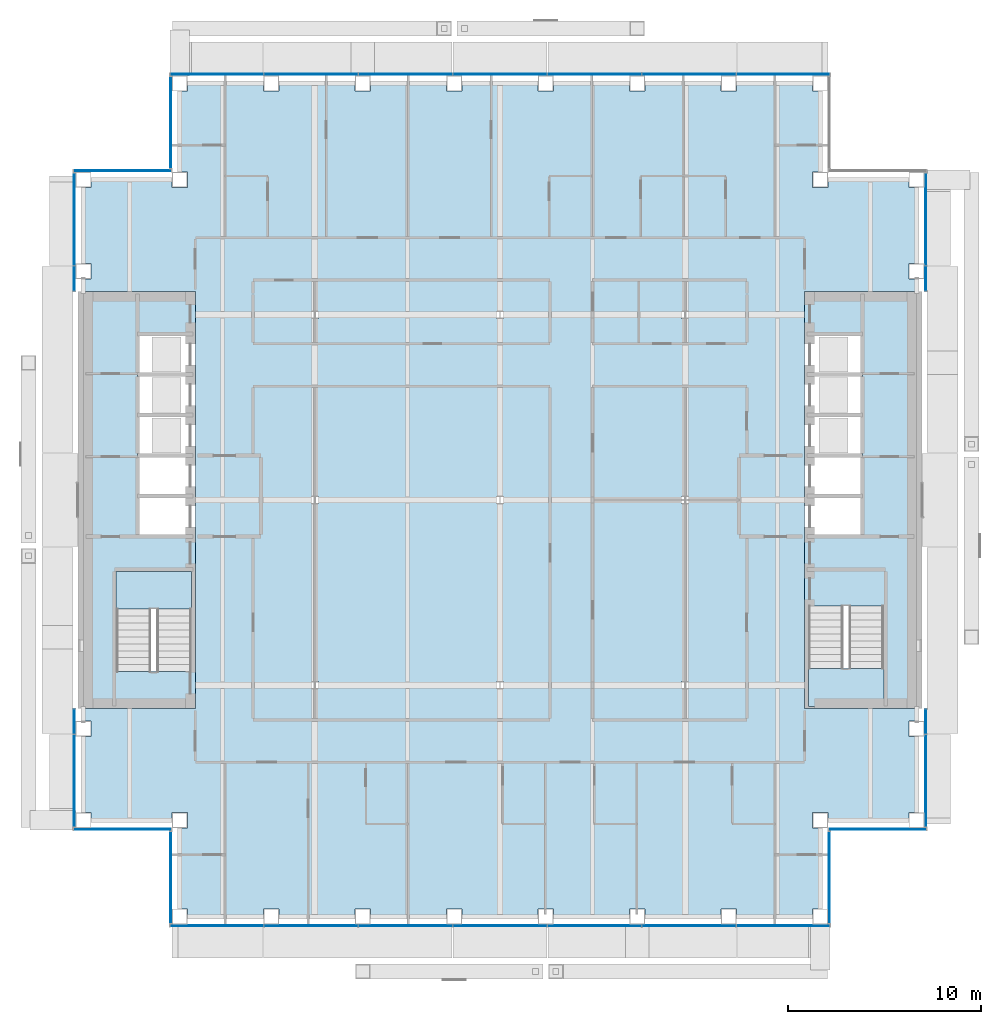
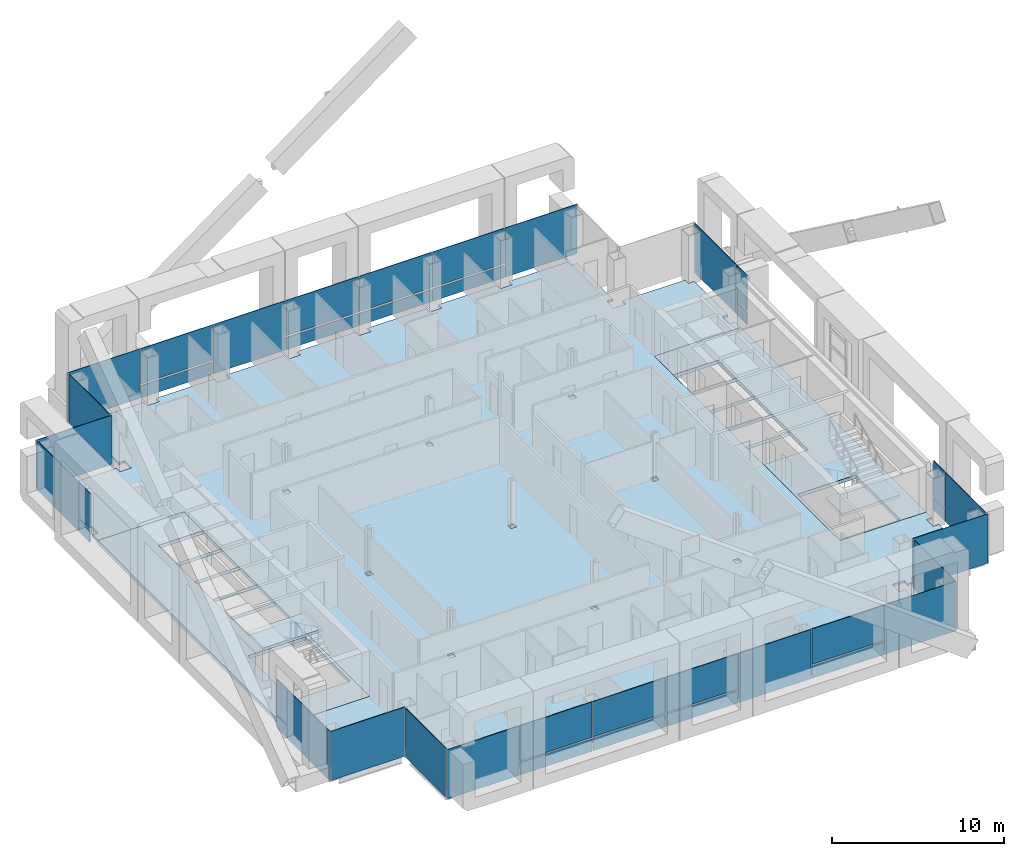
# One storey, part 11 of 22: 40 plates, 5 slabs, 14 elements without a shape of their own.
"""IFC4 building model written with IfcOpenShell, lengths in metres."""

from ifc_helpers import new_model, si_unit, direction, frame, origin, origin_2d, place, context, subcontext, project, spatial, polyline, rectangle, outline, extrude, material, layer, layer_set, type_object, element, aggregate, save


model = new_model("IFC4")

# Units and contexts
model_context = context("Model", 3, precision=1e-05, world=origin(), true_north=direction((0.0, 1.0)))
body_context = subcontext(model_context, "Body", "Model", "MODEL_VIEW")
ifc_project = project(units=[si_unit("LENGTHUNIT", "METRE"), si_unit("AREAUNIT", "SQUARE_METRE"), si_unit("VOLUMEUNIT", "CUBIC_METRE"), si_unit("PLANEANGLEUNIT", "RADIAN"), si_unit("MASSUNIT", "GRAM", prefix="KILO")], contexts=[model_context])

# Site, building, storey
site_placement = place(None, origin())
site = spatial("IfcSite", under=ifc_project, at=site_placement, CompositionType="ELEMENT")
building_placement = place(site_placement, origin())
building = spatial("IfcBuilding", under=site, at=building_placement, Name="Cobrizo Arcos Hotel Tower", CompositionType="ELEMENT")
storey_placement = place(building_placement, frame((0.0, 0.0, 162.0)))
storey = spatial("IfcBuildingStorey", under=building, at=storey_placement, Name="L41", CompositionType="ELEMENT", Elevation=162.0)

# Curtain wall, plates
ifc_material_1 = material(Name="Aluminium 6063-T6 anodised bronze", Category="aluminium")
curtain_wall_type = type_object("IfcCurtainWallType", Name="CW-A guest facade", PredefinedType="NOTDEFINED", material=ifc_material_1)
curtain_wall_1_placement = place(storey_placement, origin())
curtain_wall_1 = element("IfcCurtainWall", 1, at=curtain_wall_1_placement, inside=storey, type_object=curtain_wall_type, Name="CW-A L41 S face", PredefinedType="NOTDEFINED")
ifc_material_2 = material(Name="Glass clear laminated low-e", Category="glass")
ifc_layer_1 = layer(ifc_material_2, 0.0400390625)
ifc_layer_set_1 = layer_set([ifc_layer_1], Name="CW-A glass panel")
plate_type_1 = type_object("IfcPlateType", Name="CW-A glass panel", PredefinedType="CURTAIN_PANEL", material=ifc_layer_set_1)
plate_1_placement = place(storey_placement, frame((-9.800048828125, -22.074951171875, 0.990234375), z_axis=(0.0, 0.0, 1.0), x_axis=(1.0, 0.0, 0.0)))
plate_1 = element("IfcPlate", 2, at=plate_1_placement, type_object=plate_type_1, Name="CW-A glass panel 1457", PredefinedType="CURTAIN_PANEL", context=body_context, shape_type="SweptSolid", body=[
    extrude(rectangle(XDim=4.840087890625, YDim=0.0400390625, at=origin_2d()), origin(), (0.0, 0.0, 1.0), 2.510009765625),
])
plate_2_placement = place(storey_placement, frame((-4.89990234375, -22.074951171875, 0.990234375), z_axis=(0.0, 0.0, 1.0), x_axis=(1.0, 0.0, 0.0)))
plate_2 = element("IfcPlate", 3, at=plate_2_placement, type_object=plate_type_1, Name="CW-A glass panel 1458", PredefinedType="CURTAIN_PANEL", context=body_context, shape_type="SweptSolid", body=[
    extrude(rectangle(XDim=4.840087890625, YDim=0.0400390625, at=origin_2d()), origin(), (0.0, 0.0, 1.0), 2.510009765625),
])
plate_3_placement = place(storey_placement, frame((0.0, -22.074951171875, 0.990234375), z_axis=(0.0, 0.0, 1.0), x_axis=(1.0, 0.0, 0.0)))
plate_3 = element("IfcPlate", 4, at=plate_3_placement, type_object=plate_type_1, Name="CW-A glass panel 1459", PredefinedType="CURTAIN_PANEL", context=body_context, shape_type="SweptSolid", body=[
    extrude(rectangle(XDim=4.840087890625, YDim=0.0400390625, at=origin_2d()), origin(), (0.0, 0.0, 1.0), 2.510009765625),
])
plate_4_placement = place(storey_placement, frame((9.800048828125, -22.074951171875, 0.990234375), z_axis=(0.0, 0.0, 1.0), x_axis=(1.0, 0.0, 0.0)))
plate_4 = element("IfcPlate", 5, at=plate_4_placement, type_object=plate_type_1, Name="CW-A glass panel 1461", PredefinedType="CURTAIN_PANEL", context=body_context, shape_type="SweptSolid", body=[
    extrude(rectangle(XDim=4.840087890625, YDim=0.0400390625, at=origin_2d()), origin(), (0.0, 0.0, 1.0), 2.510009765625),
])

# Curtain wall, plate
curtain_wall_2_placement = place(storey_placement, origin())
curtain_wall_2 = element("IfcCurtainWall", 6, at=curtain_wall_2_placement, inside=storey, type_object=curtain_wall_type, Name="CW-A L41 E face", PredefinedType="NOTDEFINED")
plate_5_placement = place(storey_placement, frame((22.074951171875, -11.486328125, 0.990234375), z_axis=(0.0, 0.0, 1.0), x_axis=(0.0, 1.0, 0.0)))
plate_5 = element("IfcPlate", 7, at=plate_5_placement, type_object=plate_type_1, Name="CW-A glass panel 1466", PredefinedType="CURTAIN_PANEL", context=body_context, shape_type="SweptSolid", body=[
    extrude(rectangle(XDim=1.2529296875, YDim=0.0400390625, at=origin_2d()), origin(), (0.0, 0.0, 1.0), 2.510009765625),
])

curtain_wall_3_placement = place(storey_placement, origin())
curtain_wall_3 = element("IfcCurtainWall", 8, at=curtain_wall_3_placement, inside=storey, type_object=curtain_wall_type, Name="CW-A L41 E face", PredefinedType="NOTDEFINED")
plate_6_placement = place(storey_placement, frame((22.074951171875, 11.486328125, 0.990234375), z_axis=(0.0, 0.0, 1.0), x_axis=(0.0, 1.0, 0.0)))
plate_6 = element("IfcPlate", 9, at=plate_6_placement, type_object=plate_type_1, Name="CW-A glass panel 1467", PredefinedType="CURTAIN_PANEL", context=body_context, shape_type="SweptSolid", body=[
    extrude(rectangle(XDim=1.2529296875, YDim=0.0400390625, at=origin_2d()), origin(), (0.0, 0.0, 1.0), 2.510009765625),
])

# Curtain wall, plates
curtain_wall_4_placement = place(storey_placement, origin())
curtain_wall_4 = element("IfcCurtainWall", 10, at=curtain_wall_4_placement, inside=storey, type_object=curtain_wall_type, Name="CW-A L41 N face", PredefinedType="NOTDEFINED")
plate_7_placement = place(storey_placement, frame((9.800048828125, 22.074951171875, 0.990234375), z_axis=(0.0, 0.0, 1.0), x_axis=(-1.0, 0.0, 0.0)))
plate_7 = element("IfcPlate", 11, at=plate_7_placement, type_object=plate_type_1, Name="CW-A glass panel 1472", PredefinedType="CURTAIN_PANEL", context=body_context, shape_type="SweptSolid", body=[
    extrude(rectangle(XDim=4.840087890625, YDim=0.0400390625, at=origin_2d()), origin(), (0.0, 0.0, 1.0), 2.510009765625),
])
plate_8_placement = place(storey_placement, frame((4.89990234375, 22.074951171875, 0.990234375), z_axis=(0.0, 0.0, 1.0), x_axis=(-1.0, 0.0, 0.0)))
plate_8 = element("IfcPlate", 12, at=plate_8_placement, type_object=plate_type_1, Name="CW-A glass panel 1473", PredefinedType="CURTAIN_PANEL", context=body_context, shape_type="SweptSolid", body=[
    extrude(rectangle(XDim=4.840087890625, YDim=0.0400390625, at=origin_2d()), origin(), (0.0, 0.0, 1.0), 2.510009765625),
])
plate_9_placement = place(storey_placement, frame((0.0, 22.074951171875, 0.990234375), z_axis=(0.0, 0.0, 1.0), x_axis=(-1.0, 0.0, 0.0)))
plate_9 = element("IfcPlate", 13, at=plate_9_placement, type_object=plate_type_1, Name="CW-A glass panel 1474", PredefinedType="CURTAIN_PANEL", context=body_context, shape_type="SweptSolid", body=[
    extrude(rectangle(XDim=4.840087890625, YDim=0.0400390625, at=origin_2d()), origin(), (0.0, 0.0, 1.0), 2.510009765625),
])
plate_10_placement = place(storey_placement, frame((-9.800048828125, 22.074951171875, 0.990234375), z_axis=(0.0, 0.0, 1.0), x_axis=(-1.0, 0.0, 0.0)))
plate_10 = element("IfcPlate", 14, at=plate_10_placement, type_object=plate_type_1, Name="CW-A glass panel 1476", PredefinedType="CURTAIN_PANEL", context=body_context, shape_type="SweptSolid", body=[
    extrude(rectangle(XDim=4.840087890625, YDim=0.0400390625, at=origin_2d()), origin(), (0.0, 0.0, 1.0), 2.510009765625),
])

# Curtain wall, plate
curtain_wall_5_placement = place(storey_placement, origin())
curtain_wall_5 = element("IfcCurtainWall", 15, at=curtain_wall_5_placement, inside=storey, type_object=curtain_wall_type, Name="CW-A L41 W face", PredefinedType="NOTDEFINED")
plate_11_placement = place(storey_placement, frame((-22.074951171875, 11.486328125, 0.990234375), z_axis=(0.0, 0.0, 1.0), x_axis=(0.0, -1.0, 0.0)))
plate_11 = element("IfcPlate", 16, at=plate_11_placement, type_object=plate_type_1, Name="CW-A glass panel 1481", PredefinedType="CURTAIN_PANEL", context=body_context, shape_type="SweptSolid", body=[
    extrude(rectangle(XDim=1.2529296875, YDim=0.0400390625, at=origin_2d()), origin(), (0.0, 0.0, 1.0), 2.510009765625),
])

curtain_wall_6_placement = place(storey_placement, origin())
curtain_wall_6 = element("IfcCurtainWall", 17, at=curtain_wall_6_placement, inside=storey, type_object=curtain_wall_type, Name="CW-A L41 W face", PredefinedType="NOTDEFINED")
plate_12_placement = place(storey_placement, frame((-22.074951171875, -11.486328125, 0.990234375), z_axis=(0.0, 0.0, 1.0), x_axis=(0.0, -1.0, 0.0)))
plate_12 = element("IfcPlate", 18, at=plate_12_placement, type_object=plate_type_1, Name="CW-A glass panel 1482", PredefinedType="CURTAIN_PANEL", context=body_context, shape_type="SweptSolid", body=[
    extrude(rectangle(XDim=1.2529296875, YDim=0.0400390625, at=origin_2d()), origin(), (0.0, 0.0, 1.0), 2.510009765625),
])

# Plate
ifc_material_3 = material(Name="Aluminium composite panel pale metal", Category="aluminium")
ifc_layer_2 = layer(ifc_material_3, 0.0400390625)
ifc_layer_set_2 = layer_set([ifc_layer_2], Name="CW-A spandrel panel")
plate_type_2 = type_object("IfcPlateType", Name="CW-A spandrel panel", PredefinedType="CURTAIN_PANEL", material=ifc_layer_set_2)
plate_13_placement = place(storey_placement, frame((-14.68505859375, -22.074951171875, 0.0), z_axis=(0.0, 0.0, 1.0), x_axis=(1.0, 0.0, 0.0)))
plate_13 = element("IfcPlate", 19, at=plate_13_placement, type_object=plate_type_2, Name="CW-A spandrel panel 1456", PredefinedType="CURTAIN_PANEL", context=body_context, shape_type="SweptSolid", body=[
    extrude(rectangle(XDim=4.81005859375, YDim=0.0400390625, at=origin_2d()), origin(), (0.0, 0.0, 1.0), 3.5),
])

plate_14_placement = place(storey_placement, frame((-9.800048828125, -22.074951171875, 0.0), z_axis=(0.0, 0.0, 1.0), x_axis=(1.0, 0.0, 0.0)))
plate_14 = element("IfcPlate", 20, at=plate_14_placement, type_object=plate_type_2, Name="CW-A spandrel panel 1457", PredefinedType="CURTAIN_PANEL", context=body_context, shape_type="SweptSolid", body=[
    extrude(rectangle(XDim=4.840087890625, YDim=0.0400390625, at=origin_2d()), origin(), (0.0, 0.0, 1.0), 0.8701171875),
])

plate_15_placement = place(storey_placement, frame((-4.89990234375, -22.074951171875, 0.0), z_axis=(0.0, 0.0, 1.0), x_axis=(1.0, 0.0, 0.0)))
plate_15 = element("IfcPlate", 21, at=plate_15_placement, type_object=plate_type_2, Name="CW-A spandrel panel 1458", PredefinedType="CURTAIN_PANEL", context=body_context, shape_type="SweptSolid", body=[
    extrude(rectangle(XDim=4.840087890625, YDim=0.0400390625, at=origin_2d()), origin(), (0.0, 0.0, 1.0), 0.8701171875),
])

plate_16_placement = place(storey_placement, frame((0.0, -22.074951171875, 0.0), z_axis=(0.0, 0.0, 1.0), x_axis=(1.0, 0.0, 0.0)))
plate_16 = element("IfcPlate", 22, at=plate_16_placement, type_object=plate_type_2, Name="CW-A spandrel panel 1459", PredefinedType="CURTAIN_PANEL", context=body_context, shape_type="SweptSolid", body=[
    extrude(rectangle(XDim=4.840087890625, YDim=0.0400390625, at=origin_2d()), origin(), (0.0, 0.0, 1.0), 0.8701171875),
])

plate_17_placement = place(storey_placement, frame((4.89990234375, -22.074951171875, 0.0), z_axis=(0.0, 0.0, 1.0), x_axis=(1.0, 0.0, 0.0)))
plate_17 = element("IfcPlate", 23, at=plate_17_placement, type_object=plate_type_2, Name="CW-A spandrel panel 1460", PredefinedType="CURTAIN_PANEL", context=body_context, shape_type="SweptSolid", body=[
    extrude(rectangle(XDim=4.840087890625, YDim=0.0400390625, at=origin_2d()), origin(), (0.0, 0.0, 1.0), 3.5),
])

plate_18_placement = place(storey_placement, frame((9.800048828125, -22.074951171875, 0.0), z_axis=(0.0, 0.0, 1.0), x_axis=(1.0, 0.0, 0.0)))
plate_18 = element("IfcPlate", 24, at=plate_18_placement, type_object=plate_type_2, Name="CW-A spandrel panel 1461", PredefinedType="CURTAIN_PANEL", context=body_context, shape_type="SweptSolid", body=[
    extrude(rectangle(XDim=4.840087890625, YDim=0.0400390625, at=origin_2d()), origin(), (0.0, 0.0, 1.0), 0.8701171875),
])

plate_19_placement = place(storey_placement, frame((14.68505859375, -22.074951171875, 0.0), z_axis=(0.0, 0.0, 1.0), x_axis=(1.0, 0.0, 0.0)))
plate_19 = element("IfcPlate", 25, at=plate_19_placement, type_object=plate_type_2, Name="CW-A spandrel panel 1462", PredefinedType="CURTAIN_PANEL", context=body_context, shape_type="SweptSolid", body=[
    extrude(rectangle(XDim=4.81005859375, YDim=0.0400390625, at=origin_2d()), origin(), (0.0, 0.0, 1.0), 3.5),
])

aggregate(curtain_wall_1, [plate_13, plate_14, plate_1, plate_15, plate_2, plate_16, plate_3, plate_17, plate_18, plate_4, plate_19])

# Curtain wall, plate
curtain_wall_7_placement = place(storey_placement, origin())
curtain_wall_7 = element("IfcCurtainWall", 26, at=curtain_wall_7_placement, inside=storey, type_object=curtain_wall_type, Name="CW-A L41 E face", PredefinedType="NOTDEFINED")
plate_20_placement = place(storey_placement, frame((17.074951171875, -19.574951171875, 0.0), z_axis=(0.0, 0.0, 1.0), x_axis=(0.0, 1.0, 0.0)))
plate_20 = element("IfcPlate", 27, at=plate_20_placement, type_object=plate_type_2, Name="CW-A spandrel panel 1463", PredefinedType="CURTAIN_PANEL", context=body_context, shape_type="SweptSolid", body=[
    extrude(rectangle(XDim=4.72998046875, YDim=0.0400390625, at=origin_2d()), origin(), (0.0, 0.0, 1.0), 3.5),
])
aggregate(curtain_wall_7, [plate_20])

curtain_wall_8_placement = place(storey_placement, origin())
curtain_wall_8 = element("IfcCurtainWall", 28, at=curtain_wall_8_placement, inside=storey, type_object=curtain_wall_type, Name="CW-A L41 S face", PredefinedType="NOTDEFINED")
plate_21_placement = place(storey_placement, frame((19.574951171875, -17.074951171875, 0.0), z_axis=(0.0, 0.0, 1.0), x_axis=(1.0, 0.0, 0.0)))
plate_21 = element("IfcPlate", 29, at=plate_21_placement, type_object=plate_type_2, Name="CW-A spandrel panel 1464", PredefinedType="CURTAIN_PANEL", context=body_context, shape_type="SweptSolid", body=[
    extrude(rectangle(XDim=5.030029296875, YDim=0.0400390625, at=origin_2d()), origin(), (0.0, 0.0, 1.0), 3.5),
])
aggregate(curtain_wall_8, [plate_21])

# Plate
plate_22_placement = place(storey_placement, frame((22.074951171875, -14.556396484375, 0.0), z_axis=(0.0, 0.0, 1.0), x_axis=(0.0, 1.0, 0.0)))
plate_22 = element("IfcPlate", 30, at=plate_22_placement, type_object=plate_type_2, Name="CW-A spandrel panel 1465", PredefinedType="CURTAIN_PANEL", context=body_context, shape_type="SweptSolid", body=[
    extrude(rectangle(XDim=4.76708984375, YDim=0.0400390625, at=origin_2d()), origin(), (0.0, 0.0, 1.0), 3.5),
])

plate_23_placement = place(storey_placement, frame((22.074951171875, -11.486328125, 0.0), z_axis=(0.0, 0.0, 1.0), x_axis=(0.0, 1.0, 0.0)))
plate_23 = element("IfcPlate", 31, at=plate_23_placement, type_object=plate_type_2, Name="CW-A spandrel panel 1466", PredefinedType="CURTAIN_PANEL", context=body_context, shape_type="SweptSolid", body=[
    extrude(rectangle(XDim=1.2529296875, YDim=0.0400390625, at=origin_2d()), origin(), (0.0, 0.0, 1.0), 0.8701171875),
])

aggregate(curtain_wall_2, [plate_22, plate_23, plate_5])

plate_24_placement = place(storey_placement, frame((22.074951171875, 11.486328125, 0.0), z_axis=(0.0, 0.0, 1.0), x_axis=(0.0, 1.0, 0.0)))
plate_24 = element("IfcPlate", 32, at=plate_24_placement, type_object=plate_type_2, Name="CW-A spandrel panel 1467", PredefinedType="CURTAIN_PANEL", context=body_context, shape_type="SweptSolid", body=[
    extrude(rectangle(XDim=1.2529296875, YDim=0.0400390625, at=origin_2d()), origin(), (0.0, 0.0, 1.0), 0.8701171875),
])

plate_25_placement = place(storey_placement, frame((22.074951171875, 14.556396484375, 0.0), z_axis=(0.0, 0.0, 1.0), x_axis=(0.0, 1.0, 0.0)))
plate_25 = element("IfcPlate", 33, at=plate_25_placement, type_object=plate_type_2, Name="CW-A spandrel panel 1468", PredefinedType="CURTAIN_PANEL", context=body_context, shape_type="SweptSolid", body=[
    extrude(rectangle(XDim=4.76708984375, YDim=0.0400390625, at=origin_2d()), origin(), (0.0, 0.0, 1.0), 3.5),
])

aggregate(curtain_wall_3, [plate_24, plate_6, plate_25])

plate_26_placement = place(storey_placement, frame((14.68505859375, 22.074951171875, 0.0), z_axis=(0.0, 0.0, 1.0), x_axis=(-1.0, 0.0, 0.0)))
plate_26 = element("IfcPlate", 34, at=plate_26_placement, type_object=plate_type_2, Name="CW-A spandrel panel 1471", PredefinedType="CURTAIN_PANEL", context=body_context, shape_type="SweptSolid", body=[
    extrude(rectangle(XDim=4.81005859375, YDim=0.0400390625, at=origin_2d()), origin(), (0.0, 0.0, 1.0), 3.5),
])

plate_27_placement = place(storey_placement, frame((9.800048828125, 22.074951171875, 0.0), z_axis=(0.0, 0.0, 1.0), x_axis=(-1.0, 0.0, 0.0)))
plate_27 = element("IfcPlate", 35, at=plate_27_placement, type_object=plate_type_2, Name="CW-A spandrel panel 1472", PredefinedType="CURTAIN_PANEL", context=body_context, shape_type="SweptSolid", body=[
    extrude(rectangle(XDim=4.840087890625, YDim=0.0400390625, at=origin_2d()), origin(), (0.0, 0.0, 1.0), 0.8701171875),
])

plate_28_placement = place(storey_placement, frame((4.89990234375, 22.074951171875, 0.0), z_axis=(0.0, 0.0, 1.0), x_axis=(-1.0, 0.0, 0.0)))
plate_28 = element("IfcPlate", 36, at=plate_28_placement, type_object=plate_type_2, Name="CW-A spandrel panel 1473", PredefinedType="CURTAIN_PANEL", context=body_context, shape_type="SweptSolid", body=[
    extrude(rectangle(XDim=4.840087890625, YDim=0.0400390625, at=origin_2d()), origin(), (0.0, 0.0, 1.0), 0.8701171875),
])

plate_29_placement = place(storey_placement, frame((0.0, 22.074951171875, 0.0), z_axis=(0.0, 0.0, 1.0), x_axis=(-1.0, 0.0, 0.0)))
plate_29 = element("IfcPlate", 37, at=plate_29_placement, type_object=plate_type_2, Name="CW-A spandrel panel 1474", PredefinedType="CURTAIN_PANEL", context=body_context, shape_type="SweptSolid", body=[
    extrude(rectangle(XDim=4.840087890625, YDim=0.0400390625, at=origin_2d()), origin(), (0.0, 0.0, 1.0), 0.8701171875),
])

plate_30_placement = place(storey_placement, frame((-4.89990234375, 22.074951171875, 0.0), z_axis=(0.0, 0.0, 1.0), x_axis=(-1.0, 0.0, 0.0)))
plate_30 = element("IfcPlate", 38, at=plate_30_placement, type_object=plate_type_2, Name="CW-A spandrel panel 1475", PredefinedType="CURTAIN_PANEL", context=body_context, shape_type="SweptSolid", body=[
    extrude(rectangle(XDim=4.840087890625, YDim=0.0400390625, at=origin_2d()), origin(), (0.0, 0.0, 1.0), 3.5),
])

plate_31_placement = place(storey_placement, frame((-9.800048828125, 22.074951171875, 0.0), z_axis=(0.0, 0.0, 1.0), x_axis=(-1.0, 0.0, 0.0)))
plate_31 = element("IfcPlate", 39, at=plate_31_placement, type_object=plate_type_2, Name="CW-A spandrel panel 1476", PredefinedType="CURTAIN_PANEL", context=body_context, shape_type="SweptSolid", body=[
    extrude(rectangle(XDim=4.840087890625, YDim=0.0400390625, at=origin_2d()), origin(), (0.0, 0.0, 1.0), 0.8701171875),
])

plate_32_placement = place(storey_placement, frame((-14.68505859375, 22.074951171875, 0.0), z_axis=(0.0, 0.0, 1.0), x_axis=(-1.0, 0.0, 0.0)))
plate_32 = element("IfcPlate", 40, at=plate_32_placement, type_object=plate_type_2, Name="CW-A spandrel panel 1477", PredefinedType="CURTAIN_PANEL", context=body_context, shape_type="SweptSolid", body=[
    extrude(rectangle(XDim=4.81005859375, YDim=0.0400390625, at=origin_2d()), origin(), (0.0, 0.0, 1.0), 3.5),
])

aggregate(curtain_wall_4, [plate_26, plate_27, plate_7, plate_28, plate_8, plate_29, plate_9, plate_30, plate_31, plate_10, plate_32])

# Curtain wall, plate
curtain_wall_9_placement = place(storey_placement, origin())
curtain_wall_9 = element("IfcCurtainWall", 41, at=curtain_wall_9_placement, inside=storey, type_object=curtain_wall_type, Name="CW-A L41 W face", PredefinedType="NOTDEFINED")
plate_33_placement = place(storey_placement, frame((-17.074951171875, 19.574951171875, 0.0), z_axis=(0.0, 0.0, 1.0), x_axis=(0.0, -1.0, 0.0)))
plate_33 = element("IfcPlate", 42, at=plate_33_placement, type_object=plate_type_2, Name="CW-A spandrel panel 1478", PredefinedType="CURTAIN_PANEL", context=body_context, shape_type="SweptSolid", body=[
    extrude(rectangle(XDim=4.72998046875, YDim=0.0400390625, at=origin_2d()), origin(), (0.0, 0.0, 1.0), 3.5),
])
aggregate(curtain_wall_9, [plate_33])

curtain_wall_10_placement = place(storey_placement, origin())
curtain_wall_10 = element("IfcCurtainWall", 43, at=curtain_wall_10_placement, inside=storey, type_object=curtain_wall_type, Name="CW-A L41 N face", PredefinedType="NOTDEFINED")
plate_34_placement = place(storey_placement, frame((-19.574951171875, 17.074951171875, 0.0), z_axis=(0.0, 0.0, 1.0), x_axis=(-1.0, 0.0, 0.0)))
plate_34 = element("IfcPlate", 44, at=plate_34_placement, type_object=plate_type_2, Name="CW-A spandrel panel 1479", PredefinedType="CURTAIN_PANEL", context=body_context, shape_type="SweptSolid", body=[
    extrude(rectangle(XDim=5.030029296875, YDim=0.0400390625, at=origin_2d()), origin(), (0.0, 0.0, 1.0), 3.5),
])
aggregate(curtain_wall_10, [plate_34])

# Plate
plate_35_placement = place(storey_placement, frame((-22.074951171875, 14.556396484375, 0.0), z_axis=(0.0, 0.0, 1.0), x_axis=(0.0, -1.0, 0.0)))
plate_35 = element("IfcPlate", 45, at=plate_35_placement, type_object=plate_type_2, Name="CW-A spandrel panel 1480", PredefinedType="CURTAIN_PANEL", context=body_context, shape_type="SweptSolid", body=[
    extrude(rectangle(XDim=4.76708984375, YDim=0.0400390625, at=origin_2d()), origin(), (0.0, 0.0, 1.0), 3.5),
])

plate_36_placement = place(storey_placement, frame((-22.074951171875, 11.486328125, 0.0), z_axis=(0.0, 0.0, 1.0), x_axis=(0.0, -1.0, 0.0)))
plate_36 = element("IfcPlate", 46, at=plate_36_placement, type_object=plate_type_2, Name="CW-A spandrel panel 1481", PredefinedType="CURTAIN_PANEL", context=body_context, shape_type="SweptSolid", body=[
    extrude(rectangle(XDim=1.2529296875, YDim=0.0400390625, at=origin_2d()), origin(), (0.0, 0.0, 1.0), 0.8701171875),
])

aggregate(curtain_wall_5, [plate_35, plate_36, plate_11])

plate_37_placement = place(storey_placement, frame((-22.074951171875, -11.486328125, 0.0), z_axis=(0.0, 0.0, 1.0), x_axis=(0.0, -1.0, 0.0)))
plate_37 = element("IfcPlate", 47, at=plate_37_placement, type_object=plate_type_2, Name="CW-A spandrel panel 1482", PredefinedType="CURTAIN_PANEL", context=body_context, shape_type="SweptSolid", body=[
    extrude(rectangle(XDim=1.2529296875, YDim=0.0400390625, at=origin_2d()), origin(), (0.0, 0.0, 1.0), 0.8701171875),
])

plate_38_placement = place(storey_placement, frame((-22.074951171875, -14.556396484375, 0.0), z_axis=(0.0, 0.0, 1.0), x_axis=(0.0, -1.0, 0.0)))
plate_38 = element("IfcPlate", 48, at=plate_38_placement, type_object=plate_type_2, Name="CW-A spandrel panel 1483", PredefinedType="CURTAIN_PANEL", context=body_context, shape_type="SweptSolid", body=[
    extrude(rectangle(XDim=4.76708984375, YDim=0.0400390625, at=origin_2d()), origin(), (0.0, 0.0, 1.0), 3.5),
])

aggregate(curtain_wall_6, [plate_37, plate_12, plate_38])

# Curtain wall, plate
curtain_wall_11_placement = place(storey_placement, origin())
curtain_wall_11 = element("IfcCurtainWall", 49, at=curtain_wall_11_placement, inside=storey, type_object=curtain_wall_type, Name="CW-A L41 S face", PredefinedType="NOTDEFINED")
plate_39_placement = place(storey_placement, frame((-19.574951171875, -17.074951171875, 0.0), z_axis=(0.0, 0.0, 1.0), x_axis=(1.0, 0.0, 0.0)))
plate_39 = element("IfcPlate", 50, at=plate_39_placement, type_object=plate_type_2, Name="CW-A spandrel panel 1484", PredefinedType="CURTAIN_PANEL", context=body_context, shape_type="SweptSolid", body=[
    extrude(rectangle(XDim=5.030029296875, YDim=0.0400390625, at=origin_2d()), origin(), (0.0, 0.0, 1.0), 3.5),
])
aggregate(curtain_wall_11, [plate_39])

curtain_wall_12_placement = place(storey_placement, origin())
curtain_wall_12 = element("IfcCurtainWall", 51, at=curtain_wall_12_placement, inside=storey, type_object=curtain_wall_type, Name="CW-A L41 W face", PredefinedType="NOTDEFINED")
plate_40_placement = place(storey_placement, frame((-17.074951171875, -19.574951171875, 0.0), z_axis=(0.0, 0.0, 1.0), x_axis=(0.0, -1.0, 0.0)))
plate_40 = element("IfcPlate", 52, at=plate_40_placement, type_object=plate_type_2, Name="CW-A spandrel panel 1485", PredefinedType="CURTAIN_PANEL", context=body_context, shape_type="SweptSolid", body=[
    extrude(rectangle(XDim=4.72998046875, YDim=0.0400390625, at=origin_2d()), origin(), (0.0, 0.0, 1.0), 3.5),
])
aggregate(curtain_wall_12, [plate_40])

# Slabs
ifc_material_4 = material(Name="Concrete f'c 35 MPa", Category="concrete")
ifc_layer_3 = layer(ifc_material_4, 0.14990234375)
ifc_layer_set_3 = layer_set([ifc_layer_3], Name="Composite floor slab 150 f'c 35")
slab_type_1 = type_object("IfcSlabType", Name="Composite floor slab 150 f'c 35", PredefinedType="FLOOR", material=ifc_layer_set_3)
slab_1_placement = place(storey_placement, frame((0.0, 0.0, -0.14990234375)))
element("IfcSlab", 53, at=slab_1_placement, inside=storey, type_object=slab_type_1, Name="Floor slab S5, L41, no. 01", PredefinedType="FLOOR", context=body_context, shape_type="SweptSolid", body=[
    extrude(outline(polyline([(-16.199951171875, -21.60009765625), (-16.199951171875, -21.199951171875), (-16.60009765625, -21.199951171875), (-16.60009765625, -17.0), (-16.199951171875, -17.0), (-16.199951171875, -16.199951171875), (-17.0, -16.199951171875), (-17.0, -16.60009765625), (-21.199951171875, -16.60009765625), (-21.199951171875, -16.199951171875), (-21.60009765625, -16.199951171875), (-21.60009765625, -12.257080078125), (-21.199951171875, -12.257080078125), (-21.199951171875, -11.45703125), (-21.60009765625, -11.45703125), (-21.60009765625, -10.800048828125), (-15.800048828125, -10.800048828125), (-15.800048828125, 10.800048828125), (-21.60009765625, 10.800048828125), (-21.60009765625, 11.45703125), (-21.199951171875, 11.45703125), (-21.199951171875, 12.257080078125), (-21.60009765625, 12.257080078125), (-21.60009765625, 16.199951171875), (-21.199951171875, 16.199951171875), (-21.199951171875, 16.60009765625), (-17.0, 16.60009765625), (-17.0, 16.199951171875), (-16.199951171875, 16.199951171875), (-16.199951171875, 17.0), (-16.60009765625, 17.0), (-16.60009765625, 21.199951171875), (-16.199951171875, 21.199951171875), (-16.199951171875, 21.60009765625), (-12.257080078125, 21.60009765625), (-12.257080078125, 21.199951171875), (-11.45703125, 21.199951171875), (-11.45703125, 21.60009765625), (-7.513916015625, 21.60009765625), (-7.513916015625, 21.199951171875), (-6.714111328125, 21.199951171875), (-6.714111328125, 21.60009765625), (-2.77099609375, 21.60009765625), (-2.77099609375, 21.199951171875), (-1.970947265625, 21.199951171875), (-1.970947265625, 21.60009765625), (1.970947265625, 21.60009765625), (1.970947265625, 21.199951171875), (2.77099609375, 21.199951171875), (2.77099609375, 21.60009765625), (6.714111328125, 21.60009765625), (6.714111328125, 21.199951171875), (7.513916015625, 21.199951171875), (7.513916015625, 21.60009765625), (11.45703125, 21.60009765625), (11.45703125, 21.199951171875), (12.257080078125, 21.199951171875), (12.257080078125, 21.60009765625), (16.199951171875, 21.60009765625), (16.199951171875, 21.199951171875), (16.60009765625, 21.199951171875), (16.60009765625, 17.0), (16.199951171875, 17.0), (16.199951171875, 16.199951171875), (17.0, 16.199951171875), (17.0, 16.60009765625), (21.199951171875, 16.60009765625), (21.199951171875, 16.199951171875), (21.60009765625, 16.199951171875), (21.60009765625, 12.257080078125), (21.199951171875, 12.257080078125), (21.199951171875, 11.45703125), (21.60009765625, 11.45703125), (21.60009765625, 10.800048828125), (15.800048828125, 10.800048828125), (15.800048828125, -10.800048828125), (21.60009765625, -10.800048828125), (21.60009765625, -11.45703125), (21.199951171875, -11.45703125), (21.199951171875, -12.257080078125), (21.60009765625, -12.257080078125), (21.60009765625, -16.199951171875), (21.199951171875, -16.199951171875), (21.199951171875, -16.60009765625), (17.0, -16.60009765625), (17.0, -16.199951171875), (16.199951171875, -16.199951171875), (16.199951171875, -17.0), (16.60009765625, -17.0), (16.60009765625, -21.199951171875), (16.199951171875, -21.199951171875), (16.199951171875, -21.60009765625), (12.257080078125, -21.60009765625), (12.257080078125, -21.199951171875), (11.45703125, -21.199951171875), (11.45703125, -21.60009765625), (7.513916015625, -21.60009765625), (7.513916015625, -21.199951171875), (6.714111328125, -21.199951171875), (6.714111328125, -21.60009765625), (2.77099609375, -21.60009765625), (2.77099609375, -21.199951171875), (1.970947265625, -21.199951171875), (1.970947265625, -21.60009765625), (-1.970947265625, -21.60009765625), (-1.970947265625, -21.199951171875), (-2.77099609375, -21.199951171875), (-2.77099609375, -21.60009765625), (-6.714111328125, -21.60009765625), (-6.714111328125, -21.199951171875), (-7.513916015625, -21.199951171875), (-7.513916015625, -21.60009765625), (-11.45703125, -21.60009765625), (-11.45703125, -21.199951171875), (-12.257080078125, -21.199951171875), (-12.257080078125, -21.60009765625), (-16.199951171875, -21.60009765625)]), holes=[polyline([(-0.186767578125, -9.78662109375), (0.186767578125, -9.78662109375), (0.186767578125, -9.413330078125), (-0.186767578125, -9.413330078125), (-0.186767578125, -9.78662109375)]), polyline([(-9.78662109375, -9.78662109375), (-9.413330078125, -9.78662109375), (-9.413330078125, -9.413330078125), (-9.78662109375, -9.413330078125), (-9.78662109375, -9.78662109375)]), polyline([(-9.413330078125, -0.186767578125), (-9.413330078125, 0.186767578125), (-9.78662109375, 0.186767578125), (-9.78662109375, -0.186767578125), (-9.413330078125, -0.186767578125)]), polyline([(0.186767578125, -0.186767578125), (0.186767578125, 0.186767578125), (-0.186767578125, 0.186767578125), (-0.186767578125, -0.186767578125), (0.186767578125, -0.186767578125)]), polyline([(-9.78662109375, 9.413330078125), (-9.413330078125, 9.413330078125), (-9.413330078125, 9.78662109375), (-9.78662109375, 9.78662109375), (-9.78662109375, 9.413330078125)]), polyline([(9.413330078125, -9.78662109375), (9.78662109375, -9.78662109375), (9.78662109375, -9.413330078125), (9.413330078125, -9.413330078125), (9.413330078125, -9.78662109375)]), polyline([(9.413330078125, -0.186767578125), (9.78662109375, -0.186767578125), (9.78662109375, 0.186767578125), (9.413330078125, 0.186767578125), (9.413330078125, -0.186767578125)]), polyline([(9.78662109375, 9.413330078125), (9.78662109375, 9.78662109375), (9.413330078125, 9.78662109375), (9.413330078125, 9.413330078125), (9.78662109375, 9.413330078125)]), polyline([(0.186767578125, 9.413330078125), (0.186767578125, 9.78662109375), (-0.186767578125, 9.78662109375), (-0.186767578125, 9.413330078125), (0.186767578125, 9.413330078125)])]), origin(), (0.0, 0.0, 1.0), 0.14990234375),
])
ifc_material_5 = material(Name="Concrete f'c 50 MPa", Category="concrete")
ifc_layer_4 = layer(ifc_material_5, 0.25)
ifc_layer_set_4 = layer_set([ifc_layer_4], Name="RC core floor slab 250 f'c 50")
slab_type_2 = type_object("IfcSlabType", Name="RC core floor slab 250 f'c 50", PredefinedType="FLOOR", material=ifc_layer_set_4)
slab_2_placement = place(storey_placement, frame((0.0, 0.0, -0.25)))
element("IfcSlab", 54, at=slab_2_placement, inside=storey, type_object=slab_type_2, Name="Core floor slab CS5, east core, L41", PredefinedType="FLOOR", context=body_context, shape_type="SweptSolid", body=[
    extrude(outline(polyline([(15.800048828125, 10.800048828125), (21.60009765625, 10.800048828125), (21.60009765625, -10.800048828125), (15.800048828125, -10.800048828125), (15.800048828125, 10.800048828125)]), holes=[polyline([(19.89794921875, -10.697998046875), (19.89794921875, -5.501953125), (16.001953125, -5.501953125), (16.001953125, -10.697998046875), (19.89794921875, -10.697998046875)]), polyline([(15.802001953125, 0.197998046875), (15.802001953125, -1.89794921875), (18.798095703125, -1.89794921875), (18.798095703125, 0.197998046875), (15.802001953125, 0.197998046875)]), polyline([(15.802001953125, 2.298095703125), (15.802001953125, 0.201904296875), (18.798095703125, 0.201904296875), (18.798095703125, 2.298095703125), (15.802001953125, 2.298095703125)]), polyline([(15.802001953125, 4.39794921875), (15.802001953125, 2.302001953125), (18.798095703125, 2.302001953125), (18.798095703125, 4.39794921875), (15.802001953125, 4.39794921875)]), polyline([(18.798095703125, 6.498046875), (15.802001953125, 6.498046875), (15.802001953125, 4.402099609375), (18.798095703125, 4.402099609375), (18.798095703125, 6.498046875)]), polyline([(18.798095703125, 8.597900390625), (15.802001953125, 8.597900390625), (15.802001953125, 6.501953125), (18.798095703125, 6.501953125), (18.798095703125, 8.597900390625)])]), origin(), (0.0, 0.0, 1.0), 0.25),
])
slab_3_placement = place(storey_placement, frame((0.0, 0.0, -0.25)))
element("IfcSlab", 55, at=slab_3_placement, inside=storey, type_object=slab_type_2, Name="Core floor slab CS5, west core, L41", PredefinedType="FLOOR", context=body_context, shape_type="SweptSolid", body=[
    extrude(outline(polyline([(-21.60009765625, 10.800048828125), (-15.800048828125, 10.800048828125), (-15.800048828125, -10.800048828125), (-21.60009765625, -10.800048828125), (-21.60009765625, 10.800048828125)]), holes=[polyline([(-19.89794921875, -3.701904296875), (-19.89794921875, -8.89794921875), (-16.001953125, -8.89794921875), (-16.001953125, -3.701904296875), (-19.89794921875, -3.701904296875)]), polyline([(-18.798095703125, 0.197998046875), (-18.798095703125, -1.89794921875), (-15.802001953125, -1.89794921875), (-15.802001953125, 0.197998046875), (-18.798095703125, 0.197998046875)]), polyline([(-18.798095703125, 2.298095703125), (-18.798095703125, 0.201904296875), (-15.802001953125, 0.201904296875), (-15.802001953125, 2.298095703125), (-18.798095703125, 2.298095703125)]), polyline([(-18.798095703125, 4.39794921875), (-18.798095703125, 2.302001953125), (-15.802001953125, 2.302001953125), (-15.802001953125, 4.39794921875), (-18.798095703125, 4.39794921875)]), polyline([(-15.802001953125, 6.498046875), (-18.798095703125, 6.498046875), (-18.798095703125, 4.402099609375), (-15.802001953125, 4.402099609375), (-15.802001953125, 6.498046875)]), polyline([(-15.802001953125, 8.597900390625), (-18.798095703125, 8.597900390625), (-18.798095703125, 6.501953125), (-15.802001953125, 6.501953125), (-15.802001953125, 8.597900390625)])]), origin(), (0.0, 0.0, 1.0), 0.25),
])

# Stair, slab
ifc_material_6 = material(Name="Concrete f'c 40 MPa", Category="concrete")
stair_type = type_object("IfcStairType", Name="Exit stair", PredefinedType="HALF_TURN_STAIR", material=ifc_material_6)
stair_1_placement = place(storey_placement, origin())
stair_1 = element("IfcStair", 56, at=stair_1_placement, inside=storey, type_object=stair_type, Name="L41 Exit stair ST-W", PredefinedType="HALF_TURN_STAIR")
ifc_layer_5 = layer(ifc_material_6, 0.199951171875)
ifc_layer_set_5 = layer_set([ifc_layer_5], Name="Stair landing")
slab_type_3 = type_object("IfcSlabType", Name="Stair landing", PredefinedType="LANDING", material=ifc_layer_set_5)
slab_4_placement = place(storey_placement, frame((0.0, 0.0, 1.550048828125)))
slab_4 = element("IfcSlab", 57, at=slab_4_placement, type_object=slab_type_3, Name="ST-W landing 1", PredefinedType="LANDING", context=body_context, shape_type="SweptSolid", body=[
    extrude(outline(polyline([(-16.0, -5.659912109375), (-16.0, -3.699951171875), (-19.89990234375, -3.699951171875), (-19.89990234375, -5.659912109375), (-16.0, -5.659912109375)])), origin(), (0.0, 0.0, 1.0), 0.199951171875),
])
aggregate(stair_1, [slab_4])

stair_2_placement = place(storey_placement, origin())
stair_2 = element("IfcStair", 58, at=stair_2_placement, inside=storey, type_object=stair_type, Name="L41 Exit stair ST-E", PredefinedType="HALF_TURN_STAIR")
slab_5_placement = place(storey_placement, frame((0.0, 0.0, 1.550048828125)))
slab_5 = element("IfcSlab", 59, at=slab_5_placement, type_object=slab_type_3, Name="ST-E landing 1", PredefinedType="LANDING", context=body_context, shape_type="SweptSolid", body=[
    extrude(outline(polyline([(16.0, -8.739990234375), (16.0, -10.699951171875), (19.89990234375, -10.699951171875), (19.89990234375, -8.739990234375), (16.0, -8.739990234375)])), origin(), (0.0, 0.0, 1.0), 0.199951171875),
])
aggregate(stair_2, [slab_5])

save(model, "model.ifc")
